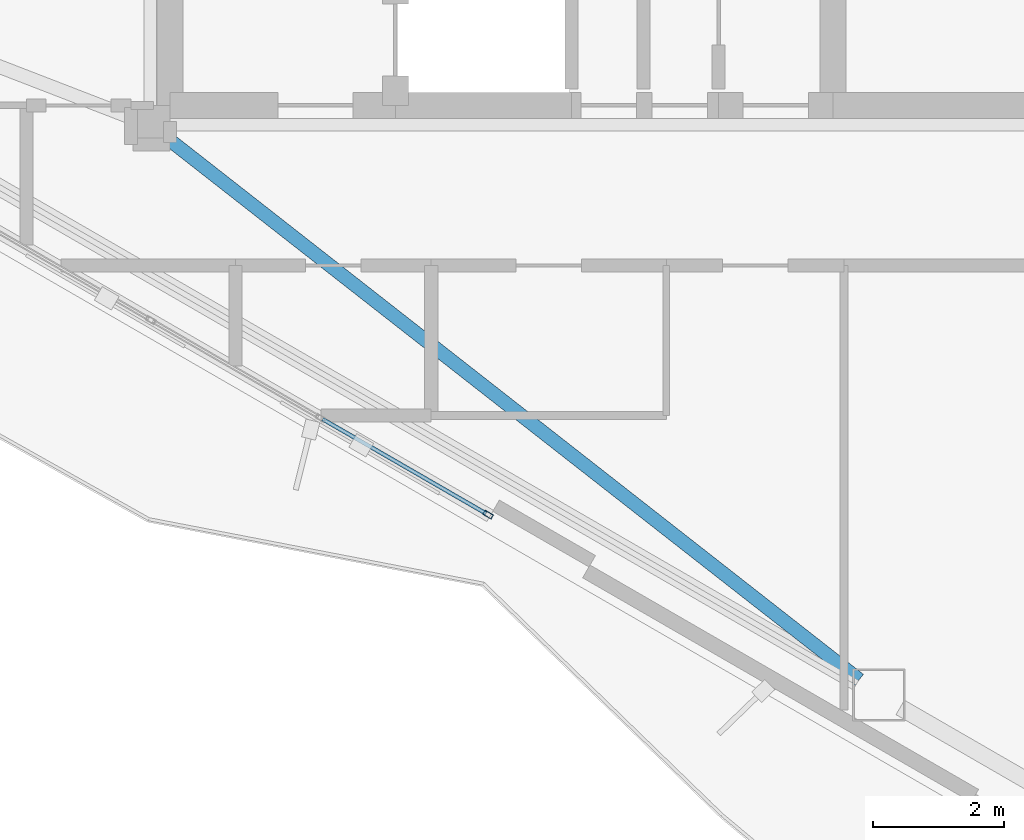
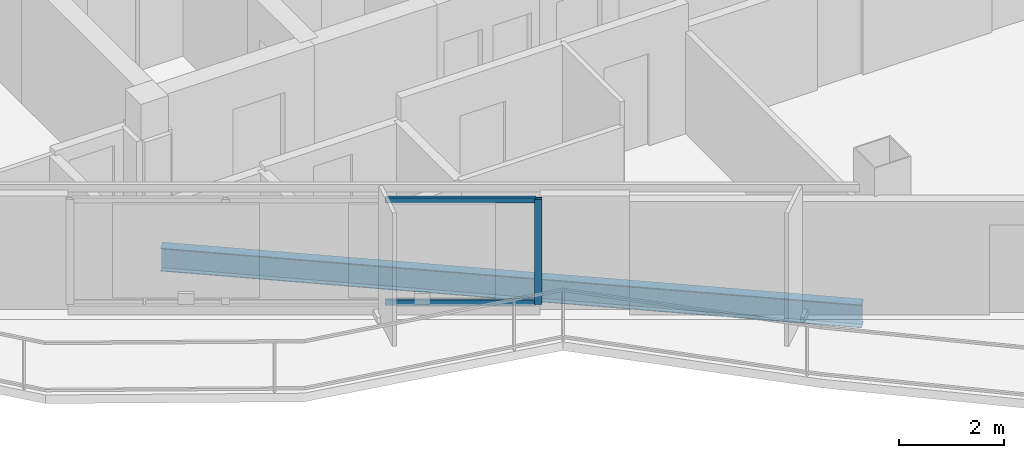
# One storey, part 4 of 21: 3 members, 1 beam, 1 element without a shape of its own.
"""IFC4 building model written with IfcOpenShell, lengths in metres."""

from ifc_helpers import new_model, si_unit, direction, frame, origin, origin_2d, place, context, subcontext, project, spatial, hollow_rectangle, i_section, extrude, material, layer, layer_set, material_profile, profile_set, type_object, element, aggregate, save


model = new_model("IFC4")

# Units and contexts
model_context = context("Model", 3, precision=1e-05, world=origin(), true_north=direction((0.0, 1.0)))
body_context = subcontext(model_context, "Body", "Model", "MODEL_VIEW")
ifc_project = project(units=[si_unit("LENGTHUNIT", "METRE"), si_unit("AREAUNIT", "SQUARE_METRE"), si_unit("VOLUMEUNIT", "CUBIC_METRE"), si_unit("PLANEANGLEUNIT", "RADIAN"), si_unit("MASSUNIT", "GRAM", prefix="KILO")], contexts=[model_context])

# Site, building, storey
site_placement = place(None, origin())
site = spatial("IfcSite", under=ifc_project, at=site_placement, CompositionType="ELEMENT")
building_placement = place(site_placement, origin())
building = spatial("IfcBuilding", under=site, at=building_placement, Name="Mersakhor Tower and Convention Hall", CompositionType="ELEMENT")
storey_placement = place(building_placement, frame((0.0, 0.0, 215.10009765625)))
storey = spatial("IfcBuildingStorey", under=building, at=storey_placement, Name="L60", CompositionType="ELEMENT", Elevation=215.10009765625)

# Beam
ifc_material_1 = material(Name="Steel S355", Category="steel")
ifc_material_profile_1 = material_profile(ifc_material_1, i_section(OverallWidth=0.2099609375, OverallDepth=0.53662109375, WebThickness=0.0107421875, FlangeThickness=0.017333984375, at=origin_2d()), Name="UB 533x210x101")
ifc_profile_set_1 = profile_set([ifc_material_profile_1], Name="Steel S355")
beam_type = type_object("IfcBeamType", Name="BM-FB-533", PredefinedType="BEAM", material=ifc_profile_set_1)
beam_placement = place(storey_placement, frame((22.12060546875, 20.27734375, -0.498291015625), z_axis=(0.78749660582, -0.616318988692, 0.0), x_axis=(0.616318988692, 0.78749660582, 0.0)))
element("IfcBeam", 1, at=beam_placement, inside=storey, type_object=beam_type, Name="L60 Primary Floor Girder FG-5", PredefinedType="BEAM", context=body_context, shape_type="SweptSolid", body=[
    extrude(i_section(OverallWidth=0.2099609375, OverallDepth=0.53662109375, WebThickness=0.0107421875, FlangeThickness=0.017333984375, at=origin_2d()), origin(), (0.0, 0.0, 1.0), 13.500732421875),
])

# Curtain wall, members
ifc_material_2 = material(Name="Dark solar low-E aluminium curtain wall", Category="aluminium")
ifc_layer = layer(ifc_material_2, 0.169921875)
ifc_layer_set = layer_set([ifc_layer], Name="Dark solar low-E aluminium curtain wall")
curtain_wall_type = type_object("IfcCurtainWallType", Name="CW-SYS-02", PredefinedType="USERDEFINED", material=ifc_layer_set)
curtain_wall_placement = place(storey_placement, origin())
curtain_wall = element("IfcCurtainWall", 2, at=curtain_wall_placement, inside=storey, type_object=curtain_wall_type, Name="L60 Dark-Glass Curtain Wall F3-B2", ObjectType="CURTAIN WALL", PredefinedType="USERDEFINED")
ifc_material_3 = material(Name="Anodised aluminium EN AW-6063 T6", Category="aluminium")
ifc_material_profile_2 = material_profile(ifc_material_3, hollow_rectangle(XDim=0.074951171875, YDim=0.14990234375, WallThickness=0.00634765625, at=origin_2d()), Name="RHS 150x75x6.3")
ifc_profile_set_2 = profile_set([ifc_material_profile_2], Name="Anodised aluminium EN AW-6063 T6")
member_type_1 = type_object("IfcMemberType", Name="CWM-150x75", PredefinedType="MULLION", material=ifc_profile_set_2)
member_1_placement = place(storey_placement, frame((27.06982421875, 14.483154296875, 0.199951171875), z_axis=(0.0, 0.0, 1.0), x_axis=(-0.500007824483, -0.86602088627, 0.0)))
member_1 = element("IfcMember", 3, at=member_1_placement, type_object=member_type_1, Name="CW-02 mullion 1", PredefinedType="MULLION", context=body_context, shape_type="SweptSolid", body=[
    extrude(hollow_rectangle(XDim=0.074951171875, YDim=0.14990234375, WallThickness=0.00634765625, at=origin_2d()), origin(), (0.0, 0.0, 1.0), 2.43994140625),
])
ifc_material_4 = material(Name="Anodised aluminium EN AW-6063 T6", Category="aluminium")
ifc_material_profile_3 = material_profile(ifc_material_4, hollow_rectangle(XDim=0.06005859375, YDim=0.1201171875, WallThickness=0.0048828125, at=origin_2d()), Name="RHS 120x60x5")
ifc_profile_set_3 = profile_set([ifc_material_profile_3], Name="Anodised aluminium EN AW-6063 T6")
member_type_2 = type_object("IfcMemberType", Name="CWT-120x60", PredefinedType="USERDEFINED", material=ifc_profile_set_3)
member_2_placement = place(storey_placement, frame((27.037353515625, 14.501953125, 0.22998046875), z_axis=(-0.86601237176, 0.50002257145, 0.0), x_axis=(-0.50002257145, -0.86601237176, 0.0)))
member_2 = element("IfcMember", 4, at=member_2_placement, type_object=member_type_2, Name="CW-02 transom 1.1", ObjectType="TRANSOM", PredefinedType="USERDEFINED", context=body_context, shape_type="SweptSolid", body=[
    extrude(hollow_rectangle(XDim=0.06005859375, YDim=0.1201171875, WallThickness=0.0048828125, at=origin_2d()), origin(), (0.0, 0.0, 1.0), 2.886962890625),
])
member_3_placement = place(storey_placement, frame((27.037353515625, 14.501953125, 2.60986328125), z_axis=(-0.86601237176, 0.50002257145, 0.0), x_axis=(-0.50002257145, -0.86601237176, 0.0)))
member_3 = element("IfcMember", 5, at=member_3_placement, type_object=member_type_2, Name="CW-02 transom 1.2", ObjectType="TRANSOM", PredefinedType="USERDEFINED", context=body_context, shape_type="SweptSolid", body=[
    extrude(hollow_rectangle(XDim=0.06005859375, YDim=0.1201171875, WallThickness=0.0048828125, at=origin_2d()), origin(), (0.0, 0.0, 1.0), 2.886962890625),
])
aggregate(curtain_wall, [member_1, member_2, member_3])

save(model, "model.ifc")
